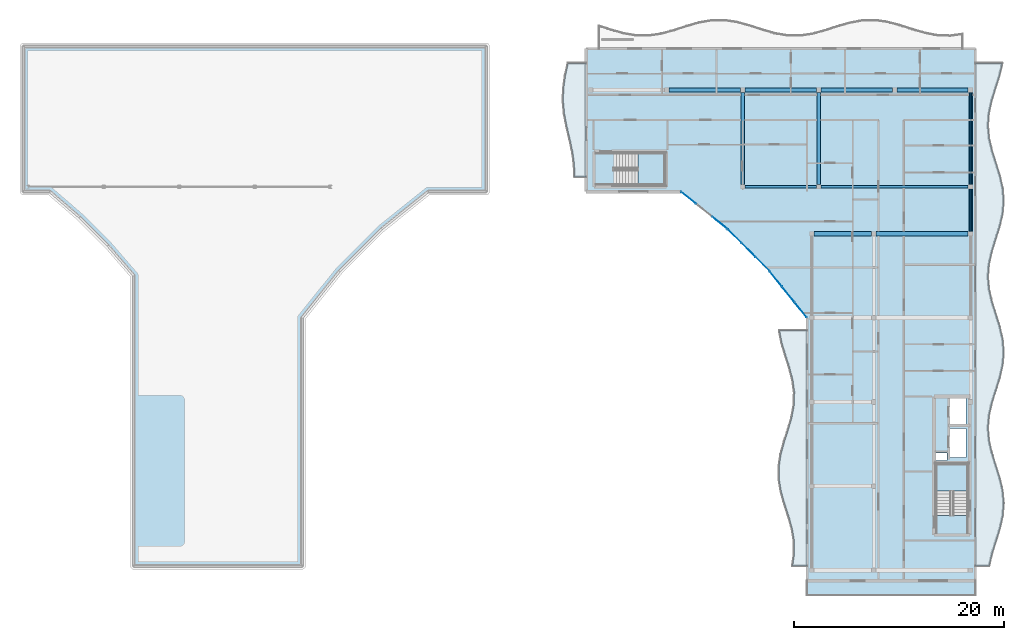
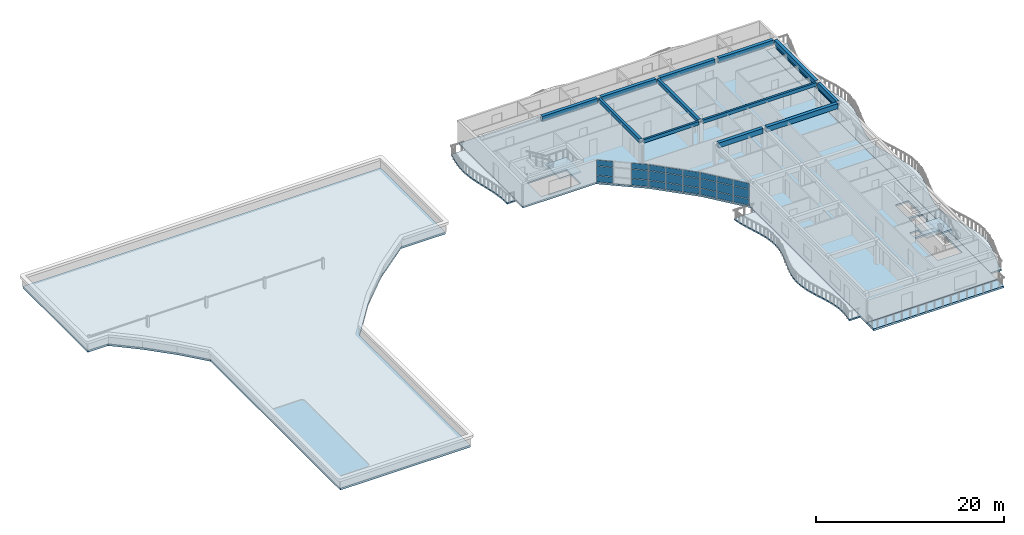
# One storey, part 8 of 18: 24 plates, 12 beams, 8 slabs, 4 members, 5 elements without a shape of their own.
"""IFC4 building model written with IfcOpenShell, lengths in metres."""

import ifcopenshell
import ifcopenshell.guid

model = None  # the IFC model being written
_history = None  # IfcOwnerHistory: only IFC2X3 demands one
_inside = {}  # id of a spatial element -> (the spatial element, [elements in it])
_under = {}  # id of a project, library or spatial element -> (it, [spatial elements below it])
_declared = {}  # id of a project -> (the project, [libraries it declares])
_typed = {}  # id of a type object -> (the type object, [elements of that type])
_made_of = {}  # id of a material, layer set ... -> (it, [elements and type objects made of it])


def new_model(schema):
    """Start an empty IFC model of exactly this schema.

    Asked for "IFC4X3", IfcOpenShell would pick the latest addendum, in which some entities
    have other attributes; the version numbers below select the first issue.
    IFC2X3 requires an IfcOwnerHistory on every rooted entity: one is made here for all.
    """
    global model, _history
    if schema == "IFC4X3":
        model = ifcopenshell.file(schema_version=(4, 3, 0, 0))
    else:
        model = ifcopenshell.file(schema=schema)
    _inside.clear()
    _under.clear()
    _declared.clear()
    _typed.clear()
    _made_of.clear()
    _history = None
    if model.schema == "IFC2X3":
        org = make("IfcOrganization", Name="unknown")
        user = make(
            "IfcPersonAndOrganization",
            ThePerson=make("IfcPerson", FamilyName="unknown"),
            TheOrganization=org,
        )
        app = make(
            "IfcApplication",
            ApplicationDeveloper=org,
            Version="unknown",
            ApplicationFullName="unknown",
            ApplicationIdentifier="unknown",
        )
        _history = make(
            "IfcOwnerHistory",
            OwningUser=user,
            OwningApplication=app,
            ChangeAction="ADDED",
            CreationDate=0,
        )
    return model


def make(cls, **values):
    """One entity of the class cls with the attributes given. An attribute that is None is left unset."""
    return model.create_entity(
        cls, **{name: value for name, value in values.items() if value is not None}
    )


def rooted(cls, **values):
    """An entity with a GlobalId (a new one), such as an element, a storey or a relation."""
    return make(cls, GlobalId=ifcopenshell.guid.new(), OwnerHistory=_history, **values)


def si_unit(unit_type, name, prefix=None):
    """IfcSIUnit, for example si_unit("LENGTHUNIT", "METRE", prefix="MILLI")."""
    return make("IfcSIUnit", UnitType=unit_type, Prefix=prefix, Name=name)


def assignment(units):
    """IfcUnitAssignment: the units of a project."""
    return None if units is None else make("IfcUnitAssignment", Units=units)


def point(xyz):
    """IfcCartesianPoint."""
    return None if xyz is None else make("IfcCartesianPoint", Coordinates=xyz)


def direction(xyz):
    """IfcDirection."""
    return None if xyz is None else make("IfcDirection", DirectionRatios=xyz)


def frame(location, z_axis=None, x_axis=None):
    """IfcAxis2Placement3D, a coordinate frame: its origin and axes. An axis left out is left unset."""
    return make(
        "IfcAxis2Placement3D",
        Location=point(location),
        Axis=direction(z_axis),
        RefDirection=direction(x_axis),
    )


def frame_2d(location, x_axis=None):
    """IfcAxis2Placement2D, a coordinate frame in the plane: its origin and x axis."""
    return make(
        "IfcAxis2Placement2D", Location=point(location), RefDirection=direction(x_axis)
    )


def origin():
    """The frame at (0, 0, 0) with its axes left unset."""
    return frame((0.0, 0.0, 0.0))


def origin_2d():
    """The frame at (0, 0) in the plane with its x axis left unset."""
    return frame_2d((0.0, 0.0))


def place(relative_to, where):
    """IfcLocalPlacement: puts the frame where relative to a parent placement (None: the world)."""
    return make(
        "IfcLocalPlacement", PlacementRelTo=relative_to, RelativePlacement=where
    )


def context(
    kind, dimensions, precision=None, world=None, true_north=None, identifier=None
):
    """IfcGeometricRepresentationContext, for example the 3D "Model" context."""
    return make(
        "IfcGeometricRepresentationContext",
        ContextIdentifier=identifier,
        ContextType=kind,
        CoordinateSpaceDimension=dimensions,
        Precision=precision,
        WorldCoordinateSystem=world,
        TrueNorth=true_north,
    )


def subcontext(parent, identifier, kind, view, scale=None):
    """IfcGeometricRepresentationSubContext, for example "Body" below "Model"."""
    return make(
        "IfcGeometricRepresentationSubContext",
        ContextIdentifier=identifier,
        ContextType=kind,
        ParentContext=parent,
        TargetScale=scale,
        TargetView=view,
    )


def project(units=None, contexts=None):
    """IfcProject with its units and contexts."""
    return rooted(
        "IfcProject",
        Name="project",
        RepresentationContexts=contexts,
        UnitsInContext=assignment(units),
    )


def spatial(cls, under=None, at=None, **own):
    """A site, building, storey or space (cls), placed at a placement, below another one or the project."""
    s = rooted(cls, ObjectPlacement=at, **own)
    if under is not None:
        _under.setdefault(under.id(), (under, []))[1].append(s)
    return s


def polyline(points):
    """IfcPolyline through the points."""
    return make("IfcPolyline", Points=[point(p) for p in points])


def profile(cls, at=None, kind="AREA", **sizes):
    """A parametric profile (cls). Its sizes go by their IFC names, for example OverallWidth=200.0."""
    return make(cls, ProfileType=kind, Position=at, **sizes)


def rectangle(**sizes):
    """IfcRectangleProfileDef."""
    return profile("IfcRectangleProfileDef", **sizes)


def hollow_rectangle(**sizes):
    """IfcRectangleHollowProfileDef."""
    return profile("IfcRectangleHollowProfileDef", **sizes)


def outline(outer, holes=None, kind="AREA"):
    """IfcArbitraryClosedProfileDef: a profile drawn as a closed curve; with holes, ...WithVoids."""
    if holes is None:
        return make("IfcArbitraryClosedProfileDef", ProfileType=kind, OuterCurve=outer)
    return make(
        "IfcArbitraryProfileDefWithVoids",
        ProfileType=kind,
        OuterCurve=outer,
        InnerCurves=holes,
    )


def extrude(swept, where, along, depth):
    """IfcExtrudedAreaSolid: the profile swept, set in the frame where, extruded along a direction by depth."""
    return make(
        "IfcExtrudedAreaSolid",
        SweptArea=swept,
        Position=where,
        ExtrudedDirection=direction(along),
        Depth=depth,
    )


def shape(context_of_items, identifier, shape_type, items):
    """IfcShapeRepresentation: the items that make up one representation, for example the "Body"."""
    return make(
        "IfcShapeRepresentation",
        ContextOfItems=context_of_items,
        RepresentationIdentifier=identifier,
        RepresentationType=shape_type,
        Items=items,
    )


def material(Name=None, Category=None):
    """IfcMaterial."""
    return make("IfcMaterial", Name=Name, Category=Category)


def layer(
    of_material, thickness, ventilated=None, Name=None, Category=None, Priority=None
):
    """IfcMaterialLayer: one layer of a wall or slab, of a material (None: an air gap)."""
    return make(
        "IfcMaterialLayer",
        Material=of_material,
        LayerThickness=thickness,
        IsVentilated=ventilated,
        Name=Name,
        Category=Category,
        Priority=Priority,
    )


def layer_set(layers, Name=None):
    """IfcMaterialLayerSet."""
    return make("IfcMaterialLayerSet", MaterialLayers=layers, LayerSetName=Name)


def material_profile(
    of_material, cross_section, Name=None, Category=None, Priority=None
):
    """IfcMaterialProfile: a cross section and its material."""
    return make(
        "IfcMaterialProfile",
        Name=Name,
        Material=of_material,
        Profile=cross_section,
        Priority=Priority,
        Category=Category,
    )


def profile_set(profiles, Name=None, composite=None):
    """IfcMaterialProfileSet."""
    return make(
        "IfcMaterialProfileSet",
        Name=Name,
        MaterialProfiles=profiles,
        CompositeProfile=composite,
    )


def made_of(thing, what):
    """Note that an element or type object is made of a material, layer set ...; save() writes the relation."""
    if what is not None:
        _made_of.setdefault(what.id(), (what, []))[1].append(thing)
    return thing


def type_object(cls, material=None, **own):
    """A type object (cls), such as IfcWallType, which elements share."""
    return made_of(rooted(cls, **own), material)


def element(
    cls,
    number,
    at=None,
    inside=None,
    cuts=None,
    type_object=None,
    material=None,
    context=None,
    identifier="Body",
    shape_type=None,
    held_by="IfcProductDefinitionShape",
    body=None,
    shapes=None,
    **own,
):
    """One element of the class cls, such as IfcWall. Its Tag is "e" and its number.

    at: its placement. inside: the storey or other place that contains it. cuts: it is an
    opening in that element (IfcRelVoidsElement). A single representation is given by context,
    identifier, shape_type and body (its items); several are given by shapes. held_by: the class
    of the entity that holds the representations. save() writes the other relations.
    """
    e = rooted(cls, Tag="e%d" % number, ObjectPlacement=at, **own)
    if body is not None:
        shapes = [shape(context, identifier, shape_type, body)]
    if shapes is not None:
        e.Representation = make(held_by, Representations=shapes)
    if inside is not None:
        _inside.setdefault(inside.id(), (inside, []))[1].append(e)
    if cuts is not None:
        rooted(
            "IfcRelVoidsElement", RelatingBuildingElement=cuts, RelatedOpeningElement=e
        )
    if type_object is not None:
        _typed.setdefault(type_object.id(), (type_object, []))[1].append(e)
    return made_of(e, material)


def aggregate(whole, parts):
    """IfcRelAggregates: a whole, such as a stair, and the parts it consists of."""
    return rooted("IfcRelAggregates", RelatingObject=whole, RelatedObjects=parts)


def save(model, path):
    """Write the relations noted so far, then the file.

    IfcRelAggregates (storeys below a building ...), IfcRelContainedInSpatialStructure (elements
    in a storey), IfcRelDefinesByType, IfcRelAssociatesMaterial and IfcRelDeclares: one each for
    every whole, place, type object, material and project.
    """
    for whole, parts in _under.values():
        aggregate(whole, parts)
    for where, things in _inside.values():
        rooted(
            "IfcRelContainedInSpatialStructure",
            RelatedElements=things,
            RelatingStructure=where,
        )
    for kind, things in _typed.values():
        rooted("IfcRelDefinesByType", RelatedObjects=things, RelatingType=kind)
    for what, things in _made_of.values():
        rooted("IfcRelAssociatesMaterial", RelatedObjects=things, RelatingMaterial=what)
    for by, libraries in _declared.values():
        rooted("IfcRelDeclares", RelatingContext=by, RelatedDefinitions=libraries)
    model.write(path)


model = new_model("IFC4")

# Units and contexts
model_context = context("Model", 3, precision=1e-05, world=origin(), true_north=direction((0.0, 1.0)))
body_context = subcontext(model_context, "Body", "Model", "MODEL_VIEW")
ifc_project = project(units=[si_unit("LENGTHUNIT", "METRE"), si_unit("AREAUNIT", "SQUARE_METRE"), si_unit("VOLUMEUNIT", "CUBIC_METRE"), si_unit("PLANEANGLEUNIT", "RADIAN"), si_unit("MASSUNIT", "GRAM", prefix="KILO")], contexts=[model_context])

# Site, building, storey
site_placement = place(None, origin())
site = spatial("IfcSite", under=ifc_project, at=site_placement, CompositionType="ELEMENT")
building_placement = place(site_placement, origin())
building = spatial("IfcBuilding", under=site, at=building_placement, Name="Keldmere Railside Commons", CompositionType="ELEMENT")
storey_placement = place(building_placement, frame((0.0, 0.0, 39.360107421875)))
storey = spatial("IfcBuildingStorey", under=building, at=storey_placement, Name="L12", CompositionType="ELEMENT", Elevation=39.360107421875)

# Members
ifc_material_1 = material(Name="Steel F-36 (S355)", Category="steel")
ifc_material_profile_1 = material_profile(ifc_material_1, hollow_rectangle(XDim=0.14990234375, YDim=0.25, WallThickness=0.010009765625, at=origin_2d()), Name="RHS-250x150x10")
ifc_profile_set_1 = profile_set([ifc_material_profile_1], Name="Steel F-36 (S355)")
member_type_1 = type_object("IfcMemberType", Name="Balcony Continuous Planted Trough RHS250x150", PredefinedType="CHORD", material=ifc_profile_set_1)
member_1_placement = place(storey_placement, frame((183.550048828125, 96.22509765625, 2.414794921875), z_axis=(0.0, 1.0, 0.0), x_axis=(-1.0, 0.0, 0.0)))
element("IfcMember", 1, at=member_1_placement, inside=storey, type_object=member_type_1, Name="PLT-1 MEM-BPLT-1043", PredefinedType="CHORD", context=body_context, shape_type="SweptSolid", body=[
    extrude(hollow_rectangle(XDim=0.14990234375, YDim=0.25, WallThickness=0.010009765625, at=origin_2d()), origin(), (0.0, 0.0, 1.0), 4.0),
])
member_2_placement = place(storey_placement, frame((183.550048828125, 100.675048828125, 2.414794921875), z_axis=(0.0, 1.0, 0.0), x_axis=(-1.0, 0.0, 0.0)))
element("IfcMember", 2, at=member_2_placement, inside=storey, type_object=member_type_1, Name="PLT-1 MEM-BPLT-1045", PredefinedType="CHORD", context=body_context, shape_type="SweptSolid", body=[
    extrude(hollow_rectangle(XDim=0.14990234375, YDim=0.25, WallThickness=0.010009765625, at=origin_2d()), origin(), (0.0, 0.0, 1.0), 8.75),
])

# Beams
ifc_material_2 = material(Name="Architectural Precast Concrete H-35 (C35/45)", Category="concrete")
ifc_material_profile_2 = material_profile(ifc_material_2, rectangle(XDim=0.25, YDim=0.449951171875, at=origin_2d()), Name="RC-250x450")
ifc_profile_set_2 = profile_set([ifc_material_profile_2], Name="Architectural Precast Concrete H-35 (C35/45)")
beam_type_1 = type_object("IfcBeamType", Name="Perimeter Precast Spandrel Beam 250x450", PredefinedType="SPANDREL", material=ifc_profile_set_2)
beam_1_placement = place(storey_placement, frame((162.114990234375, 100.449951171875, 2.974853515625), z_axis=(1.0, 0.0, 0.0), x_axis=(0.0, 1.0, 0.0)))
element("IfcBeam", 3, at=beam_1_placement, inside=storey, type_object=beam_type_1, Name="SPB-1 BM-L12-2493", PredefinedType="SPANDREL", context=body_context, shape_type="SweptSolid", body=[
    extrude(rectangle(XDim=0.25, YDim=0.449951171875, at=origin_2d()), origin(), (0.0, 0.0, 1.0), 6.77001953125),
])
beam_2_placement = place(storey_placement, frame((169.3349609375, 100.449951171875, 2.974853515625), z_axis=(1.0, 0.0, 0.0), x_axis=(0.0, 1.0, 0.0)))
element("IfcBeam", 4, at=beam_2_placement, inside=storey, type_object=beam_type_1, Name="SPB-1 BM-L12-2494", PredefinedType="SPANDREL", context=body_context, shape_type="SweptSolid", body=[
    extrude(rectangle(XDim=0.25, YDim=0.449951171875, at=origin_2d()), origin(), (0.0, 0.0, 1.0), 13.989990234375),
])
ifc_material_3 = material(Name="Concrete H-30 (C30/37)", Category="concrete")
ifc_material_profile_3 = material_profile(ifc_material_3, rectangle(XDim=0.35009765625, YDim=0.60009765625, at=origin_2d()), Name="RC-350x600")
ifc_profile_set_3 = profile_set([ifc_material_profile_3], Name="Concrete H-30 (C30/37)")
beam_type_2 = type_object("IfcBeamType", Name="Residential Chord RC Beam 350x600", PredefinedType="BEAM", material=ifc_profile_set_3)
beam_3_placement = place(storey_placement, frame((183.550048828125, 96.22509765625, 2.89990234375), z_axis=(0.0, 1.0, 0.0), x_axis=(-1.0, 0.0, 0.0)))
element("IfcBeam", 5, at=beam_3_placement, inside=storey, type_object=beam_type_2, Name="BG-4 BM-L12-2512", PredefinedType="BEAM", context=body_context, shape_type="SweptSolid", body=[
    extrude(rectangle(XDim=0.35009765625, YDim=0.60009765625, at=origin_2d()), origin(), (0.0, 0.0, 1.0), 4.0),
])
beam_4_placement = place(storey_placement, frame((183.550048828125, 100.675048828125, 2.89990234375), z_axis=(0.0, 1.0, 0.0), x_axis=(-1.0, 0.0, 0.0)))
element("IfcBeam", 6, at=beam_4_placement, inside=storey, type_object=beam_type_2, Name="BG-4 BM-L12-2513", PredefinedType="BEAM", context=body_context, shape_type="SweptSolid", body=[
    extrude(rectangle(XDim=0.35009765625, YDim=0.60009765625, at=origin_2d()), origin(), (0.0, 0.0, 1.0), 8.75),
])
ifc_material_profile_4 = material_profile(ifc_material_3, rectangle(XDim=0.39990234375, YDim=0.64990234375, at=origin_2d()), Name="RC-400x650")
ifc_profile_set_4 = profile_set([ifc_material_profile_4], Name="Concrete H-30 (C30/37)")
beam_type_3 = type_object("IfcBeamType", Name="Residential Spine RC Girder 400x650", PredefinedType="BEAM", material=ifc_profile_set_4)
beam_5_placement = place(storey_placement, frame((168.675048828125, 96.0, 2.875), z_axis=(1.0, 0.0, 0.0), x_axis=(0.0, 1.0, 0.0)))
element("IfcBeam", 7, at=beam_5_placement, inside=storey, type_object=beam_type_3, Name="BG-3 BM-L12-2491", PredefinedType="BEAM", context=body_context, shape_type="SweptSolid", body=[
    extrude(rectangle(XDim=0.39990234375, YDim=0.64990234375, at=origin_2d()), origin(), (0.0, 0.0, 1.0), 5.449951171875),
])
beam_6_placement = place(storey_placement, frame((174.574951171875, 96.0, 2.875), z_axis=(1.0, 0.0, 0.0), x_axis=(0.0, 1.0, 0.0)))
element("IfcBeam", 8, at=beam_6_placement, inside=storey, type_object=beam_type_3, Name="BG-3 BM-L12-2492", PredefinedType="BEAM", context=body_context, shape_type="SweptSolid", body=[
    extrude(rectangle(XDim=0.39990234375, YDim=0.64990234375, at=origin_2d()), origin(), (0.0, 0.0, 1.0), 8.75),
])
for number, where, z_axis, x_axis, name in (
    (9, (154.89501953125, 109.64990234375, 2.875), (1.0, 0.0, 0.0), (0.0, 1.0, 0.0), "BG-3 BM-L12-2496"),
    (10, (162.114990234375, 109.64990234375, 2.875), (1.0, 0.0, 0.0), (0.0, 1.0, 0.0), "BG-3 BM-L12-2497"),
    (11, (169.3349609375, 109.64990234375, 2.875), (1.0, 0.0, 0.0), (0.0, 1.0, 0.0), "BG-3 BM-L12-2498"),
    (12, (176.554931640625, 109.64990234375, 2.875), (1.0, 0.0, 0.0), (0.0, 1.0, 0.0), "BG-3 BM-L12-2499"),
):
    element("IfcBeam", number, at=place(storey_placement, frame(where, z_axis=z_axis, x_axis=x_axis)), inside=storey, type_object=beam_type_3, Name=name, PredefinedType="BEAM", context=body_context, shape_type="SweptSolid", body=[
        extrude(rectangle(XDim=0.39990234375, YDim=0.64990234375, at=origin_2d()), origin(), (0.0, 0.0, 1.0), 6.77001953125),
    ])
ifc_material_profile_5 = material_profile(ifc_material_3, rectangle(XDim=0.300048828125, YDim=0.5, at=origin_2d()), Name="RC-300x500")
ifc_profile_set_5 = profile_set([ifc_material_profile_5], Name="Concrete H-30 (C30/37)")
beam_type_4 = type_object("IfcBeamType", Name="Secondary Frame RC Beam 300x500", PredefinedType="BEAM", material=ifc_profile_set_5)
for number, where, z_axis, x_axis, name in (
    (13, (161.889892578125, 100.675048828125, 2.949951171875), (0.0, 1.0, 0.0), (-1.0, 0.0, 0.0), "BG-5 BM-L12-2500"),
    (14, (169.110107421875, 100.675048828125, 2.949951171875), (0.0, 1.0, 0.0), (-1.0, 0.0, 0.0), "BG-5 BM-L12-2505"),
):
    element("IfcBeam", number, at=place(storey_placement, frame(where, z_axis=z_axis, x_axis=x_axis)), inside=storey, type_object=beam_type_4, Name=name, PredefinedType="BEAM", context=body_context, shape_type="SweptSolid", body=[
        extrude(rectangle(XDim=0.300048828125, YDim=0.5, at=origin_2d()), origin(), (0.0, 0.0, 1.0), 8.75),
    ])

# Members
ifc_material_profile_6 = material_profile(ifc_material_1, hollow_rectangle(XDim=0.10009765625, YDim=0.159912109375, WallThickness=0.008056640625, at=origin_2d()), Name="RHS-160x100x8")
ifc_profile_set_6 = profile_set([ifc_material_profile_6], Name="Steel F-36 (S355)")
member_type_2 = type_object("IfcMemberType", Name="Solar Brise-Soleil Louvre Fin RHS160x100", PredefinedType="STRUT", material=ifc_profile_set_6)
member_3_placement = place(storey_placement, frame((183.550048828125, 96.22509765625, 2.199951171875), z_axis=(0.0, 1.0, 0.0), x_axis=(-1.0, 0.0, 0.0)))
element("IfcMember", 15, at=member_3_placement, inside=storey, type_object=member_type_2, Name="BSF-1 MEM-BSF-1044", PredefinedType="STRUT", context=body_context, shape_type="SweptSolid", body=[
    extrude(hollow_rectangle(XDim=0.10009765625, YDim=0.159912109375, WallThickness=0.008056640625, at=origin_2d()), origin(), (0.0, 0.0, 1.0), 4.0),
])
member_4_placement = place(storey_placement, frame((183.550048828125, 100.675048828125, 2.199951171875), z_axis=(0.0, 1.0, 0.0), x_axis=(-1.0, 0.0, 0.0)))
element("IfcMember", 16, at=member_4_placement, inside=storey, type_object=member_type_2, Name="BSF-1 MEM-BSF-1046", PredefinedType="STRUT", context=body_context, shape_type="SweptSolid", body=[
    extrude(hollow_rectangle(XDim=0.10009765625, YDim=0.159912109375, WallThickness=0.008056640625, at=origin_2d()), origin(), (0.0, 0.0, 1.0), 8.75),
])

# Curtain wall, plates
ifc_material_4 = material(Name="Thermally Broken Aluminium", Category="aluminium")
ifc_layer_1 = layer(ifc_material_4, 0.159912109375, Name="Court Chord Wintergarden CW 5400x2850")
ifc_layer_set_1 = layer_set([ifc_layer_1], Name="Thermally Broken Aluminium")
curtain_wall_type_1 = type_object("IfcCurtainWallType", Name="Court Chord Wintergarden CW 5400x2850", PredefinedType="NOTDEFINED", material=ifc_layer_set_1)
curtain_wall_1_placement = place(storey_placement, origin())
curtain_wall_1 = element("IfcCurtainWall", 17, at=curtain_wall_1_placement, inside=storey, type_object=curtain_wall_type_1, Name="CW-13 CW-L12-193", PredefinedType="NOTDEFINED")
ifc_material_5 = material(Name="Low-E Insulated Double Glazing", Category="glass")
ifc_layer_2 = layer(ifc_material_5, 0.033935546875, Name="Acoustic Laminated Vision Panel 34")
ifc_layer_set_2 = layer_set([ifc_layer_2], Name="Low-E Insulated Double Glazing")
plate_type_1 = type_object("IfcPlateType", Name="Acoustic Laminated Vision Panel 34", PredefinedType="CURTAIN_PANEL", material=ifc_layer_set_2)
plate_1_placement = place(storey_placement, frame((159.678955078125, 97.048583984375, 0.06494140625), z_axis=(0.0, 0.0, 1.0), x_axis=(-0.780009172323, 0.625768080915, 0.0)))
plate_1 = element("IfcPlate", 18, at=plate_1_placement, type_object=plate_type_1, Name="CW-13 panel 1.1", PredefinedType="CURTAIN_PANEL", context=body_context, shape_type="SweptSolid", body=[
    extrude(rectangle(XDim=1.795654296875, YDim=0.033935546875, at=origin_2d()), origin(), (0.0, 0.0, 1.0), 0.802490234375),
])
plate_2_placement = place(storey_placement, frame((159.678955078125, 97.048583984375, 0.932373046875), z_axis=(0.0, 0.0, 1.0), x_axis=(-0.780009172323, 0.625768080915, 0.0)))
plate_2 = element("IfcPlate", 19, at=plate_2_placement, type_object=plate_type_1, Name="CW-13 panel 1.2", PredefinedType="CURTAIN_PANEL", context=body_context, shape_type="SweptSolid", body=[
    extrude(rectangle(XDim=1.795654296875, YDim=0.033935546875, at=origin_2d()), origin(), (0.0, 0.0, 1.0), 1.18505859375),
])
plate_3_placement = place(storey_placement, frame((159.678955078125, 97.048583984375, 2.182373046875), z_axis=(0.0, 0.0, 1.0), x_axis=(-0.780009172323, 0.625768080915, 0.0)))
plate_3 = element("IfcPlate", 20, at=plate_3_placement, type_object=plate_type_1, Name="CW-13 panel 1.3", PredefinedType="CURTAIN_PANEL", context=body_context, shape_type="SweptSolid", body=[
    extrude(rectangle(XDim=1.795654296875, YDim=0.033935546875, at=origin_2d()), origin(), (0.0, 0.0, 1.0), 0.732421875),
])
plate_4_placement = place(storey_placement, frame((156.7509765625, 99.3974609375, 0.06494140625), z_axis=(0.0, 0.0, 1.0), x_axis=(-0.780009172323, 0.625768080915, 0.0)))
plate_4 = element("IfcPlate", 21, at=plate_4_placement, type_object=plate_type_1, Name="CW-13 panel 3.1", PredefinedType="CURTAIN_PANEL", context=body_context, shape_type="SweptSolid", body=[
    extrude(rectangle(XDim=1.795654296875, YDim=0.033935546875, at=origin_2d()), origin(), (0.0, 0.0, 1.0), 0.802490234375),
])
plate_5_placement = place(storey_placement, frame((156.7509765625, 99.3974609375, 0.932373046875), z_axis=(0.0, 0.0, 1.0), x_axis=(-0.780009172323, 0.625768080915, 0.0)))
plate_5 = element("IfcPlate", 22, at=plate_5_placement, type_object=plate_type_1, Name="CW-13 panel 3.2", PredefinedType="CURTAIN_PANEL", context=body_context, shape_type="SweptSolid", body=[
    extrude(rectangle(XDim=1.795654296875, YDim=0.033935546875, at=origin_2d()), origin(), (0.0, 0.0, 1.0), 1.18505859375),
])
plate_6_placement = place(storey_placement, frame((156.7509765625, 99.3974609375, 2.182373046875), z_axis=(0.0, 0.0, 1.0), x_axis=(-0.780009172323, 0.625768080915, 0.0)))
plate_6 = element("IfcPlate", 23, at=plate_6_placement, type_object=plate_type_1, Name="CW-13 panel 3.3", PredefinedType="CURTAIN_PANEL", context=body_context, shape_type="SweptSolid", body=[
    extrude(rectangle(XDim=1.795654296875, YDim=0.033935546875, at=origin_2d()), origin(), (0.0, 0.0, 1.0), 0.732421875),
])
aggregate(curtain_wall_1, [plate_1, plate_2, plate_3, plate_4, plate_5, plate_6])

ifc_layer_3 = layer(ifc_material_4, 0.159912109375, Name="Court Chord Wintergarden CW 4800x2850")
ifc_layer_set_3 = layer_set([ifc_layer_3], Name="Thermally Broken Aluminium")
curtain_wall_type_2 = type_object("IfcCurtainWallType", Name="Court Chord Wintergarden CW 4800x2850", PredefinedType="NOTDEFINED", material=ifc_layer_set_3)
curtain_wall_2_placement = place(storey_placement, origin())
curtain_wall_2 = element("IfcCurtainWall", 24, at=curtain_wall_2_placement, inside=storey, type_object=curtain_wall_type_2, Name="CW-12 CW-L12-194", PredefinedType="NOTDEFINED")
ifc_layer_4 = layer(ifc_material_5, 0.031982421875, Name="Clerestory Solar-Control Vision Panel 32")
ifc_layer_set_4 = layer_set([ifc_layer_4], Name="Low-E Insulated Double Glazing")
plate_type_2 = type_object("IfcPlateType", Name="Clerestory Solar-Control Vision Panel 32", PredefinedType="CURTAIN_PANEL", material=ifc_layer_set_4)
plate_7_placement = place(storey_placement, frame((163.76513671875, 93.11083984375, 0.06494140625), z_axis=(0.0, 0.0, 1.0), x_axis=(-0.707106781187, 0.707106781187, 0.0)))
plate_7 = element("IfcPlate", 25, at=plate_7_placement, type_object=plate_type_2, Name="CW-12 panel 1.1", PredefinedType="CURTAIN_PANEL", context=body_context, shape_type="SweptSolid", body=[
    extrude(rectangle(XDim=1.795654296875, YDim=0.031982421875, at=origin_2d()), origin(), (0.0, 0.0, 1.0), 0.802490234375),
])
plate_8_placement = place(storey_placement, frame((163.76513671875, 93.11083984375, 0.932373046875), z_axis=(0.0, 0.0, 1.0), x_axis=(-0.707106781187, 0.707106781187, 0.0)))
plate_8 = element("IfcPlate", 26, at=plate_8_placement, type_object=plate_type_2, Name="CW-12 panel 1.2", PredefinedType="CURTAIN_PANEL", context=body_context, shape_type="SweptSolid", body=[
    extrude(rectangle(XDim=1.795654296875, YDim=0.031982421875, at=origin_2d()), origin(), (0.0, 0.0, 1.0), 1.18505859375),
])
plate_9_placement = place(storey_placement, frame((163.76513671875, 93.11083984375, 2.182373046875), z_axis=(0.0, 0.0, 1.0), x_axis=(-0.707106781187, 0.707106781187, 0.0)))
plate_9 = element("IfcPlate", 27, at=plate_9_placement, type_object=plate_type_2, Name="CW-12 panel 1.3", PredefinedType="CURTAIN_PANEL", context=body_context, shape_type="SweptSolid", body=[
    extrude(rectangle(XDim=1.795654296875, YDim=0.031982421875, at=origin_2d()), origin(), (0.0, 0.0, 1.0), 0.732421875),
])
plate_10_placement = place(storey_placement, frame((162.43798828125, 94.43798828125, 0.06494140625), z_axis=(0.0, 0.0, 1.0), x_axis=(-0.707106781187, 0.707106781187, 0.0)))
plate_10 = element("IfcPlate", 28, at=plate_10_placement, type_object=plate_type_2, Name="CW-12 panel 2.1", PredefinedType="CURTAIN_PANEL", context=body_context, shape_type="SweptSolid", body=[
    extrude(rectangle(XDim=1.828125, YDim=0.031982421875, at=origin_2d()), origin(), (0.0, 0.0, 1.0), 0.802490234375),
])
plate_11_placement = place(storey_placement, frame((162.43798828125, 94.43798828125, 0.932373046875), z_axis=(0.0, 0.0, 1.0), x_axis=(-0.707106781187, 0.707106781187, 0.0)))
plate_11 = element("IfcPlate", 29, at=plate_11_placement, type_object=plate_type_2, Name="CW-12 panel 2.2", PredefinedType="CURTAIN_PANEL", context=body_context, shape_type="SweptSolid", body=[
    extrude(rectangle(XDim=1.828125, YDim=0.031982421875, at=origin_2d()), origin(), (0.0, 0.0, 1.0), 1.18505859375),
])
plate_12_placement = place(storey_placement, frame((162.43798828125, 94.43798828125, 2.182373046875), z_axis=(0.0, 0.0, 1.0), x_axis=(-0.707106781187, 0.707106781187, 0.0)))
plate_12 = element("IfcPlate", 30, at=plate_12_placement, type_object=plate_type_2, Name="CW-12 panel 2.3", PredefinedType="CURTAIN_PANEL", context=body_context, shape_type="SweptSolid", body=[
    extrude(rectangle(XDim=1.828125, YDim=0.031982421875, at=origin_2d()), origin(), (0.0, 0.0, 1.0), 0.732421875),
])
plate_13_placement = place(storey_placement, frame((161.11083984375, 95.76513671875, 0.06494140625), z_axis=(0.0, 0.0, 1.0), x_axis=(-0.707106781187, 0.707106781187, 0.0)))
plate_13 = element("IfcPlate", 31, at=plate_13_placement, type_object=plate_type_2, Name="CW-12 panel 3.1", PredefinedType="CURTAIN_PANEL", context=body_context, shape_type="SweptSolid", body=[
    extrude(rectangle(XDim=1.795654296875, YDim=0.031982421875, at=origin_2d()), origin(), (0.0, 0.0, 1.0), 0.802490234375),
])
plate_14_placement = place(storey_placement, frame((161.11083984375, 95.76513671875, 0.932373046875), z_axis=(0.0, 0.0, 1.0), x_axis=(-0.707106781187, 0.707106781187, 0.0)))
plate_14 = element("IfcPlate", 32, at=plate_14_placement, type_object=plate_type_2, Name="CW-12 panel 3.2", PredefinedType="CURTAIN_PANEL", context=body_context, shape_type="SweptSolid", body=[
    extrude(rectangle(XDim=1.795654296875, YDim=0.031982421875, at=origin_2d()), origin(), (0.0, 0.0, 1.0), 1.18505859375),
])
plate_15_placement = place(storey_placement, frame((161.11083984375, 95.76513671875, 2.182373046875), z_axis=(0.0, 0.0, 1.0), x_axis=(-0.707106781187, 0.707106781187, 0.0)))
plate_15 = element("IfcPlate", 33, at=plate_15_placement, type_object=plate_type_2, Name="CW-12 panel 3.3", PredefinedType="CURTAIN_PANEL", context=body_context, shape_type="SweptSolid", body=[
    extrude(rectangle(XDim=1.795654296875, YDim=0.031982421875, at=origin_2d()), origin(), (0.0, 0.0, 1.0), 0.732421875),
])
aggregate(curtain_wall_2, [plate_7, plate_8, plate_9, plate_10, plate_11, plate_12, plate_13, plate_14, plate_15])

# Stair, slab
stair_type = type_object("IfcStairType", Name="Residential Core Dogleg Stair 1450", PredefinedType="HALF_TURN_STAIR", material=ifc_material_3)
stair_1_placement = place(storey_placement, origin())
stair_1 = element("IfcStair", 34, at=stair_1_placement, inside=storey, type_object=stair_type, Name="L12 Block A Primary Escape Stair 1", PredefinedType="HALF_TURN_STAIR")
ifc_layer_5 = layer(ifc_material_3, 0.199951171875, Name="Enclosed Stair Landing Slab 200")
ifc_layer_set_5 = layer_set([ifc_layer_5], Name="Concrete H-30 (C30/37)")
slab_type_1 = type_object("IfcSlabType", Name="Enclosed Stair Landing Slab 200", PredefinedType="LANDING", material=ifc_layer_set_5)
slab_1_placement = place(storey_placement, frame((0.0, 0.0, 1.39990234375)))
slab_1 = element("IfcSlab", 35, at=slab_1_placement, type_object=slab_type_1, Name="ST-A1 landing 1", PredefinedType="LANDING", context=body_context, shape_type="SweptSolid", body=[
    extrude(outline(polyline([(183.300048828125, 71.52001953125), (183.300048828125, 74.10009765625), (180.25, 74.10009765625), (180.25, 71.52001953125), (183.300048828125, 71.52001953125)])), origin(), (0.0, 0.0, 1.0), 0.199951171875),
])
aggregate(stair_1, [slab_1])

stair_2_placement = place(storey_placement, origin())
stair_2 = element("IfcStair", 36, at=stair_2_placement, inside=storey, type_object=stair_type, Name="L12 Block A Secondary Escape Stair 2", PredefinedType="HALF_TURN_STAIR")
slab_2_placement = place(storey_placement, frame((0.0, 0.0, 1.39990234375)))
slab_2 = element("IfcSlab", 37, at=slab_2_placement, type_object=slab_type_1, Name="ST-A2 landing 1", PredefinedType="LANDING", context=body_context, shape_type="SweptSolid", body=[
    extrude(outline(polyline([(151.919921875, 100.60009765625), (154.5, 100.60009765625), (154.5, 103.64990234375), (151.919921875, 103.64990234375), (151.919921875, 100.60009765625)])), origin(), (0.0, 0.0, 1.0), 0.199951171875),
])
aggregate(stair_2, [slab_2])

# Curtain wall, plates
curtain_wall_3_placement = place(storey_placement, origin())
curtain_wall_3 = element("IfcCurtainWall", 38, at=curtain_wall_3_placement, inside=storey, type_object=curtain_wall_type_1, Name="CW-13 CW-L12-195", PredefinedType="NOTDEFINED")
ifc_layer_6 = layer(ifc_material_5, 0.028076171875, Name="Low-E Vision Glazing Panel 28")
ifc_layer_set_6 = layer_set([ifc_layer_6], Name="Low-E Insulated Double Glazing")
plate_type_3 = type_object("IfcPlateType", Name="Low-E Vision Glazing Panel 28", PredefinedType="CURTAIN_PANEL", material=ifc_layer_set_6)
plate_16_placement = place(storey_placement, frame((167.3974609375, 88.7509765625, 0.06494140625), z_axis=(0.0, 0.0, 1.0), x_axis=(-0.625768080915, 0.780009172323, 0.0)))
plate_16 = element("IfcPlate", 39, at=plate_16_placement, type_object=plate_type_3, Name="CW-13 panel 1.1", PredefinedType="CURTAIN_PANEL", context=body_context, shape_type="SweptSolid", body=[
    extrude(rectangle(XDim=1.795654296875, YDim=0.028076171875, at=origin_2d()), origin(), (0.0, 0.0, 1.0), 0.802490234375),
])
plate_17_placement = place(storey_placement, frame((167.3974609375, 88.7509765625, 0.932373046875), z_axis=(0.0, 0.0, 1.0), x_axis=(-0.625768080915, 0.780009172323, 0.0)))
plate_17 = element("IfcPlate", 40, at=plate_17_placement, type_object=plate_type_3, Name="CW-13 panel 1.2", PredefinedType="CURTAIN_PANEL", context=body_context, shape_type="SweptSolid", body=[
    extrude(rectangle(XDim=1.795654296875, YDim=0.028076171875, at=origin_2d()), origin(), (0.0, 0.0, 1.0), 1.18505859375),
])
plate_18_placement = place(storey_placement, frame((167.3974609375, 88.7509765625, 2.182373046875), z_axis=(0.0, 0.0, 1.0), x_axis=(-0.625768080915, 0.780009172323, 0.0)))
plate_18 = element("IfcPlate", 41, at=plate_18_placement, type_object=plate_type_3, Name="CW-13 panel 1.3", PredefinedType="CURTAIN_PANEL", context=body_context, shape_type="SweptSolid", body=[
    extrude(rectangle(XDim=1.795654296875, YDim=0.028076171875, at=origin_2d()), origin(), (0.0, 0.0, 1.0), 0.732421875),
])
plate_19_placement = place(storey_placement, frame((166.222900390625, 90.215087890625, 0.06494140625), z_axis=(0.0, 0.0, 1.0), x_axis=(-0.625768080915, 0.780009172323, 0.0)))
plate_19 = element("IfcPlate", 42, at=plate_19_placement, type_object=plate_type_3, Name="CW-13 panel 2.1", PredefinedType="CURTAIN_PANEL", context=body_context, shape_type="SweptSolid", body=[
    extrude(rectangle(XDim=1.828125, YDim=0.028076171875, at=origin_2d()), origin(), (0.0, 0.0, 1.0), 0.802490234375),
])
plate_20_placement = place(storey_placement, frame((166.222900390625, 90.215087890625, 0.932373046875), z_axis=(0.0, 0.0, 1.0), x_axis=(-0.625768080915, 0.780009172323, 0.0)))
plate_20 = element("IfcPlate", 43, at=plate_20_placement, type_object=plate_type_3, Name="CW-13 panel 2.2", PredefinedType="CURTAIN_PANEL", context=body_context, shape_type="SweptSolid", body=[
    extrude(rectangle(XDim=1.828125, YDim=0.028076171875, at=origin_2d()), origin(), (0.0, 0.0, 1.0), 1.18505859375),
])
plate_21_placement = place(storey_placement, frame((166.222900390625, 90.215087890625, 2.182373046875), z_axis=(0.0, 0.0, 1.0), x_axis=(-0.625768080915, 0.780009172323, 0.0)))
plate_21 = element("IfcPlate", 44, at=plate_21_placement, type_object=plate_type_3, Name="CW-13 panel 2.3", PredefinedType="CURTAIN_PANEL", context=body_context, shape_type="SweptSolid", body=[
    extrude(rectangle(XDim=1.828125, YDim=0.028076171875, at=origin_2d()), origin(), (0.0, 0.0, 1.0), 0.732421875),
])
plate_22_placement = place(storey_placement, frame((165.048583984375, 91.678955078125, 0.06494140625), z_axis=(0.0, 0.0, 1.0), x_axis=(-0.625768080915, 0.780009172323, 0.0)))
plate_22 = element("IfcPlate", 45, at=plate_22_placement, type_object=plate_type_3, Name="CW-13 panel 3.1", PredefinedType="CURTAIN_PANEL", context=body_context, shape_type="SweptSolid", body=[
    extrude(rectangle(XDim=1.795654296875, YDim=0.028076171875, at=origin_2d()), origin(), (0.0, 0.0, 1.0), 0.802490234375),
])
plate_23_placement = place(storey_placement, frame((165.048583984375, 91.678955078125, 0.932373046875), z_axis=(0.0, 0.0, 1.0), x_axis=(-0.625768080915, 0.780009172323, 0.0)))
plate_23 = element("IfcPlate", 46, at=plate_23_placement, type_object=plate_type_3, Name="CW-13 panel 3.2", PredefinedType="CURTAIN_PANEL", context=body_context, shape_type="SweptSolid", body=[
    extrude(rectangle(XDim=1.795654296875, YDim=0.028076171875, at=origin_2d()), origin(), (0.0, 0.0, 1.0), 1.18505859375),
])
plate_24_placement = place(storey_placement, frame((165.048583984375, 91.678955078125, 2.182373046875), z_axis=(0.0, 0.0, 1.0), x_axis=(-0.625768080915, 0.780009172323, 0.0)))
plate_24 = element("IfcPlate", 47, at=plate_24_placement, type_object=plate_type_3, Name="CW-13 panel 3.3", PredefinedType="CURTAIN_PANEL", context=body_context, shape_type="SweptSolid", body=[
    extrude(rectangle(XDim=1.795654296875, YDim=0.028076171875, at=origin_2d()), origin(), (0.0, 0.0, 1.0), 0.732421875),
])
aggregate(curtain_wall_3, [plate_16, plate_17, plate_18, plate_19, plate_20, plate_21, plate_22, plate_23, plate_24])

# Slabs
ifc_material_6 = material(Name="Concrete H-35 (C35/45)", Category="concrete")
ifc_layer_7 = layer(ifc_material_6, 0.25, Name="Planted Terrace Roof Slab 250")
ifc_layer_set_7 = layer_set([ifc_layer_7], Name="Concrete H-35 (C35/45)")
slab_type_2 = type_object("IfcSlabType", Name="Planted Terrace Roof Slab 250", PredefinedType="ROOF", material=ifc_layer_set_7)
slab_3_placement = place(storey_placement, frame((0.0, 0.0, -0.25)))
element("IfcSlab", 48, at=slab_3_placement, inside=storey, type_object=slab_type_2, Name="RT-1 ROOFB-L12-052", PredefinedType="ROOF", context=body_context, shape_type="SweptSolid", body=[
    extrude(outline(polyline([(104.0, 64.39990234375), (120.0, 64.39990234375), (120.0, 88.0), (123.553955078125, 92.429931640625), (127.570068359375, 96.446044921875), (132.0, 100.0), (137.5, 100.0), (137.5, 113.800048828125), (93.5, 113.800048828125), (93.5, 100.0), (96.0, 100.0), (98.85791015625, 97.530029296875), (101.530029296875, 94.85791015625), (104.0, 92.0), (104.0, 64.39990234375)])), origin(), (0.0, 0.0, 1.0), 0.25),
])
slab_4_placement = place(storey_placement, frame((0.0, 0.0, -0.25)))
element("IfcSlab", 49, at=slab_4_placement, inside=storey, type_object=slab_type_2, Name="RT-1 TERRA-L12-069", PredefinedType="ROOF", context=body_context, shape_type="SweptSolid", body=[
    extrude(outline(polyline([(184.0, 61.60009765625), (184.0, 62.989990234375), (168.0, 62.989990234375), (168.0, 61.60009765625), (184.0, 61.60009765625)])), origin(), (0.0, 0.0, 1.0), 0.25),
])
ifc_layer_8 = layer(ifc_material_3, 0.219970703125, Name="Residential Flat Slab 220")
ifc_layer_set_8 = layer_set([ifc_layer_8], Name="Concrete H-30 (C30/37)")
slab_type_3 = type_object("IfcSlabType", Name="Residential Flat Slab 220", PredefinedType="FLOOR", material=ifc_layer_set_8)
slab_5_placement = place(storey_placement, frame((0.0, 0.0, -0.22021484375)))
element("IfcSlab", 50, at=slab_5_placement, inside=storey, type_object=slab_type_3, Name="FS-2 BLKA-L12-068", PredefinedType="FLOOR", context=body_context, shape_type="SweptSolid", body=[
    extrude(outline(polyline([(168.0, 63.0), (184.0, 63.0), (184.0, 113.60009765625), (147.0, 113.60009765625), (147.0, 100.0), (156.0, 100.0), (160.429931640625, 96.446044921875), (164.446044921875, 92.429931640625), (168.0, 88.0), (168.0, 63.0)]), holes=[polyline([(180.27490234375, 74.074951171875), (183.27490234375, 74.074951171875), (183.27490234375, 69.22509765625), (180.27490234375, 69.22509765625), (180.27490234375, 74.074951171875)]), polyline([(180.219970703125, 75.159912109375), (181.320068359375, 75.159912109375), (181.320068359375, 74.419921875), (180.219970703125, 74.419921875), (180.219970703125, 75.159912109375)]), polyline([(181.5, 77.5), (183.10009765625, 77.5), (183.10009765625, 74.699951171875), (181.5, 74.699951171875), (181.5, 77.5)]), polyline([(183.10009765625, 80.39990234375), (183.10009765625, 77.75), (181.5, 77.75), (181.5, 80.39990234375), (183.10009765625, 80.39990234375)]), polyline([(154.47509765625, 100.625), (149.625, 100.625), (149.625, 103.625), (154.47509765625, 103.625), (154.47509765625, 100.625)])]), origin(), (0.0, 0.0, 1.0), 0.22021484375),
])
ifc_material_7 = material(Name="White Precast Concrete H-35 (C35/45)", Category="concrete")
ifc_layer_9 = layer(ifc_material_7, 0.179931640625, Name="Sinusoidal Wave Balcony Slab 180")
ifc_layer_set_9 = layer_set([ifc_layer_9], Name="White Precast Concrete H-35 (C35/45)")
slab_type_4 = type_object("IfcSlabType", Name="Sinusoidal Wave Balcony Slab 180", PredefinedType="FLOOR", material=ifc_layer_set_9)
slab_6_placement = place(storey_placement, frame((0.0, 0.0, -0.18017578125)))
element("IfcSlab", 51, at=slab_6_placement, inside=storey, type_object=slab_type_4, Name="WB-1 A L12 CW Wave Balcony", PredefinedType="FLOOR", context=body_context, shape_type="SweptSolid", body=[
    extrude(outline(polyline([(168.0, 64.39990234375), (168.0, 65.578857421875), (168.0, 66.7578125), (168.0, 67.936767578125), (168.0, 69.11572265625), (168.0, 70.294677734375), (168.0, 71.4736328125), (168.0, 72.652587890625), (168.0, 73.83154296875), (168.0, 75.010498046875), (168.0, 76.189453125), (168.0, 77.368408203125), (168.0, 78.54736328125), (168.0, 79.726318359375), (168.0, 80.9052734375), (168.0, 82.084228515625), (168.0, 83.26318359375), (168.0, 84.442138671875), (168.0, 85.62109375), (168.0, 86.800048828125), (165.358154296875, 86.800048828125), (165.590087890625, 85.62109375), (165.94140625, 84.442138671875), (166.320556640625, 83.26318359375), (166.629638671875, 82.084228515625), (166.788818359375, 80.9052734375), (166.756591796875, 79.726318359375), (166.541748046875, 78.54736328125), (166.199462890625, 77.368408203125), (165.818603515625, 76.189453125), (165.497314453125, 75.010498046875), (165.3193359375, 73.83154296875), (165.33056640625, 72.652587890625), (165.52783203125, 71.4736328125), (165.8603515625, 70.294677734375), (166.241943359375, 69.11572265625), (166.57373046875, 67.936767578125), (166.77001953125, 66.7578125), (166.780029296875, 65.578857421875), (166.60107421875, 64.39990234375), (168.0, 64.39990234375)])), origin(), (0.0, 0.0, 1.0), 0.18017578125),
])
slab_7_placement = place(storey_placement, frame((0.0, 0.0, -0.18017578125)))
element("IfcSlab", 52, at=slab_7_placement, inside=storey, type_object=slab_type_4, Name="WB-1 A L12 CE Wave Balcony", PredefinedType="FLOOR", context=body_context, shape_type="SweptSolid", body=[
    extrude(outline(polyline([(185.312255859375, 64.39990234375), (185.59375, 65.594970703125), (185.9697265625, 66.7900390625), (186.3408203125, 67.985107421875), (186.607666015625, 69.179931640625), (186.699951171875, 70.375), (186.5927734375, 71.570068359375), (186.31494140625, 72.764892578125), (185.93994140625, 73.9599609375), (185.56787109375, 75.155029296875), (185.297119140625, 76.35009765625), (185.199951171875, 77.544921875), (185.30224609375, 78.739990234375), (185.57666015625, 79.93505859375), (185.9501953125, 81.1298828125), (186.32373046875, 82.324951171875), (186.597900390625, 83.52001953125), (186.699951171875, 84.715087890625), (186.602783203125, 85.909912109375), (186.331787109375, 87.10498046875), (185.959716796875, 88.300048828125), (185.584716796875, 89.4951171875), (185.306884765625, 90.68994140625), (185.2001953125, 91.885009765625), (185.29248046875, 93.080078125), (185.559814453125, 94.27490234375), (185.9306640625, 95.469970703125), (186.306640625, 96.6650390625), (186.587890625, 97.860107421875), (186.69970703125, 99.054931640625), (186.612060546875, 100.25), (186.3486328125, 101.445068359375), (185.979248046875, 102.639892578125), (185.60205078125, 103.8349609375), (185.3173828125, 105.030029296875), (185.20068359375, 106.22509765625), (185.283203125, 107.419921875), (185.543212890625, 108.614990234375), (185.910888671875, 109.81005859375), (186.289306640625, 111.0048828125), (186.577392578125, 112.199951171875), (184.0, 112.199951171875), (184.0, 111.0048828125), (184.0, 109.81005859375), (184.0, 108.614990234375), (184.0, 107.419921875), (184.0, 106.22509765625), (184.0, 105.030029296875), (184.0, 103.8349609375), (184.0, 102.639892578125), (184.0, 101.445068359375), (184.0, 100.25), (184.0, 99.054931640625), (184.0, 97.860107421875), (184.0, 96.6650390625), (184.0, 95.469970703125), (184.0, 94.27490234375), (184.0, 93.080078125), (184.0, 91.885009765625), (184.0, 90.68994140625), (184.0, 89.4951171875), (184.0, 88.300048828125), (184.0, 87.10498046875), (184.0, 85.909912109375), (184.0, 84.715087890625), (184.0, 83.52001953125), (184.0, 82.324951171875), (184.0, 81.1298828125), (184.0, 79.93505859375), (184.0, 78.739990234375), (184.0, 77.544921875), (184.0, 76.35009765625), (184.0, 75.155029296875), (184.0, 73.9599609375), (184.0, 72.764892578125), (184.0, 71.570068359375), (184.0, 70.375), (184.0, 69.179931640625), (184.0, 67.985107421875), (184.0, 66.7900390625), (184.0, 65.594970703125), (184.0, 64.39990234375), (185.312255859375, 64.39990234375)])), origin(), (0.0, 0.0, 1.0), 0.18017578125),
])
slab_8_placement = place(storey_placement, frame((0.0, 0.0, -0.18017578125)))
element("IfcSlab", 53, at=slab_8_placement, inside=storey, type_object=slab_type_4, Name="WB-1 A L12 WW Wave Balcony", PredefinedType="FLOOR", context=body_context, shape_type="SweptSolid", body=[
    extrude(outline(polyline([(147.0, 101.39990234375), (147.0, 102.60009765625), (147.0, 103.800048828125), (147.0, 105.0), (147.0, 106.199951171875), (147.0, 107.39990234375), (147.0, 108.60009765625), (147.0, 109.800048828125), (147.0, 111.0), (147.0, 112.199951171875), (145.270263671875, 112.199951171875), (145.0087890625, 111.0), (144.8388671875, 109.800048828125), (144.805908203125, 108.60009765625), (144.918701171875, 107.39990234375), (145.14697265625, 106.199951171875), (145.4296875, 105.0), (145.691162109375, 103.800048828125), (145.861083984375, 102.60009765625), (145.894287109375, 101.39990234375), (147.0, 101.39990234375)])), origin(), (0.0, 0.0, 1.0), 0.18017578125),
])

save(model, "model.ifc")
